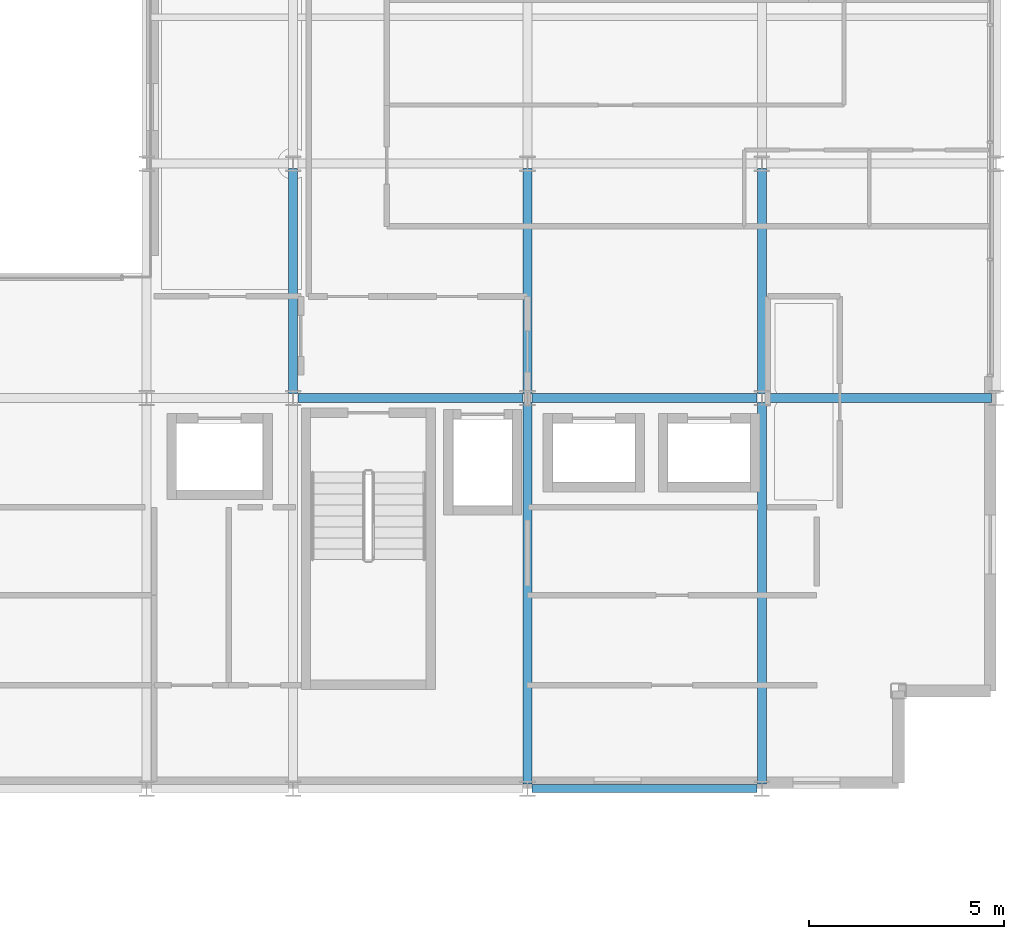
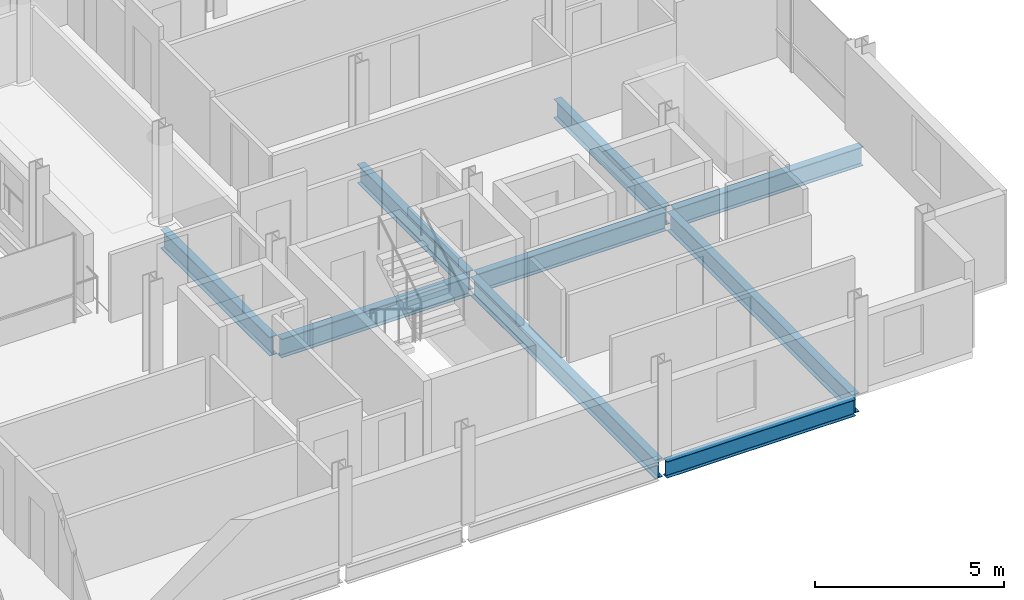
# One storey, part 17 of 36: 9 beams.
"""IFC4 building model written with IfcOpenShell, lengths in metres."""

from ifc_helpers import new_model, si_unit, direction, frame, origin, origin_2d, place, context, subcontext, project, spatial, i_section, extrude, material, material_profile, profile_set, type_object, element, save


model = new_model("IFC4")

# Units and contexts
model_context = context("Model", 3, precision=1e-05, world=origin(), true_north=direction((0.0, 1.0)))
body_context = subcontext(model_context, "Body", "Model", "MODEL_VIEW")
ifc_project = project(units=[si_unit("LENGTHUNIT", "METRE"), si_unit("AREAUNIT", "SQUARE_METRE"), si_unit("VOLUMEUNIT", "CUBIC_METRE"), si_unit("PLANEANGLEUNIT", "RADIAN"), si_unit("MASSUNIT", "GRAM", prefix="KILO")], contexts=[model_context])

# Site, building, storey
site_placement = place(None, origin())
site = spatial("IfcSite", under=ifc_project, at=site_placement, CompositionType="ELEMENT")
building_placement = place(site_placement, origin())
building = spatial("IfcBuilding", under=site, at=building_placement, Name="Brevholm Reach", CompositionType="ELEMENT")
storey_placement = place(building_placement, frame((0.0, 0.0, 175.89990234375)))
storey = spatial("IfcBuildingStorey", under=building, at=storey_placement, Name="L53", CompositionType="ELEMENT", Elevation=175.89990234375)

# Beams
ifc_material_1 = material(Name="Structural Steel S355J2", Category="steel")
ifc_material_profile_1 = material_profile(ifc_material_1, i_section(OverallWidth=0.209228515625, OverallDepth=0.533203125, WebThickness=0.010009765625, FlangeThickness=0.015625, FilletRadius=0.0126953125, at=origin_2d()), Name="UKB 533x210x92")
ifc_profile_set_1 = profile_set([ifc_material_profile_1], Name="Structural Steel S355J2")
beam_type_1 = type_object("IfcBeamType", Name="BM-SP533", PredefinedType="SPANDREL", material=ifc_profile_set_1)
beam_1_placement = place(storey_placement, frame((48.1201171875, 0.0, -0.4765625), z_axis=(1.0, 0.0, 0.0), x_axis=(0.0, 1.0, 0.0)))
element("IfcBeam", 1, at=beam_1_placement, inside=storey, type_object=beam_type_1, Name="L53 SP-02 Framing Beam", PredefinedType="SPANDREL", context=body_context, shape_type="SweptSolid", body=[
    extrude(i_section(OverallWidth=0.209228515625, OverallDepth=0.533203125, WebThickness=0.010009765625, FlangeThickness=0.015625, FilletRadius=0.0126953125, at=origin_2d()), origin(), (0.0, 0.0, 1.0), 5.759765625),
])
ifc_material_2 = material(Name="Structural Steel S355J2", Category="steel")
ifc_material_profile_2 = material_profile(ifc_material_2, i_section(OverallWidth=0.22900390625, OverallDepth=0.6123046875, WebThickness=0.011962890625, FlangeThickness=0.01953125, FilletRadius=0.0126953125, at=origin_2d()), Name="UKB 610x229x125")
ifc_profile_set_2 = profile_set([ifc_material_profile_2], Name="Structural Steel S355J2")
beam_type_2 = type_object("IfcBeamType", Name="BM-SP610", PredefinedType="SPANDREL", material=ifc_profile_set_2)
for number, where, z_axis, x_axis, name in (
    (2, (42.1201171875, 10.0, -0.51611328125), (1.0, 0.0, 0.0), (0.0, 1.0, 0.0), "L53 SP-01 Framing Beam"),
    (3, (48.1201171875, 10.0, -0.51611328125), (1.0, 0.0, 0.0), (0.0, 1.0, 0.0), "L53 SP-01 Framing Beam"),
    (4, (54.1201171875, 10.0, -0.51611328125), (1.0, 0.0, 0.0), (0.0, 1.0, 0.0), "L53 SP-01 Framing Beam"),
    (5, (42.0, 10.1201171875, -0.51611328125), (0.0, 1.0, 0.0), (-1.0, 0.0, 0.0), "L53 SP-01 Framing Beam"),
):
    element("IfcBeam", number, at=place(storey_placement, frame(where, z_axis=z_axis, x_axis=x_axis)), inside=storey, type_object=beam_type_2, Name=name, PredefinedType="SPANDREL", context=body_context, shape_type="SweptSolid", body=[
        extrude(i_section(OverallWidth=0.22900390625, OverallDepth=0.6123046875, WebThickness=0.011962890625, FlangeThickness=0.01953125, FilletRadius=0.0126953125, at=origin_2d()), origin(), (0.0, 0.0, 1.0), 5.759765625),
    ])
beam_2_placement = place(storey_placement, frame((48.0, 0.1201171875, -0.51611328125), z_axis=(0.0, 1.0, 0.0), x_axis=(-1.0, 0.0, 0.0)))
element("IfcBeam", 6, at=beam_2_placement, inside=storey, type_object=beam_type_2, Name="L53 SP-01 Framing Beam", PredefinedType="SPANDREL", context=body_context, shape_type="SweptSolid", body=[
    extrude(i_section(OverallWidth=0.22900390625, OverallDepth=0.6123046875, WebThickness=0.011962890625, FlangeThickness=0.01953125, FilletRadius=0.0126953125, at=origin_2d()), origin(), (0.0, 0.0, 1.0), 9.759765625),
])
beam_3_placement = place(storey_placement, frame((48.0, 10.1201171875, -0.51611328125), z_axis=(0.0, 1.0, 0.0), x_axis=(-1.0, 0.0, 0.0)))
element("IfcBeam", 7, at=beam_3_placement, inside=storey, type_object=beam_type_2, Name="L53 SP-01 Framing Beam", PredefinedType="SPANDREL", context=body_context, shape_type="SweptSolid", body=[
    extrude(i_section(OverallWidth=0.22900390625, OverallDepth=0.6123046875, WebThickness=0.011962890625, FlangeThickness=0.01953125, FilletRadius=0.0126953125, at=origin_2d()), origin(), (0.0, 0.0, 1.0), 5.759765625),
])
beam_4_placement = place(storey_placement, frame((54.0, 0.1201171875, -0.51611328125), z_axis=(0.0, 1.0, 0.0), x_axis=(-1.0, 0.0, 0.0)))
element("IfcBeam", 8, at=beam_4_placement, inside=storey, type_object=beam_type_2, Name="L53 SP-01 Framing Beam", PredefinedType="SPANDREL", context=body_context, shape_type="SweptSolid", body=[
    extrude(i_section(OverallWidth=0.22900390625, OverallDepth=0.6123046875, WebThickness=0.011962890625, FlangeThickness=0.01953125, FilletRadius=0.0126953125, at=origin_2d()), origin(), (0.0, 0.0, 1.0), 9.759765625),
])
beam_5_placement = place(storey_placement, frame((54.0, 10.1201171875, -0.51611328125), z_axis=(0.0, 1.0, 0.0), x_axis=(-1.0, 0.0, 0.0)))
element("IfcBeam", 9, at=beam_5_placement, inside=storey, type_object=beam_type_2, Name="L53 SP-01 Framing Beam", PredefinedType="SPANDREL", context=body_context, shape_type="SweptSolid", body=[
    extrude(i_section(OverallWidth=0.22900390625, OverallDepth=0.6123046875, WebThickness=0.011962890625, FlangeThickness=0.01953125, FilletRadius=0.0126953125, at=origin_2d()), origin(), (0.0, 0.0, 1.0), 5.759765625),
])

save(model, "model.ifc")
